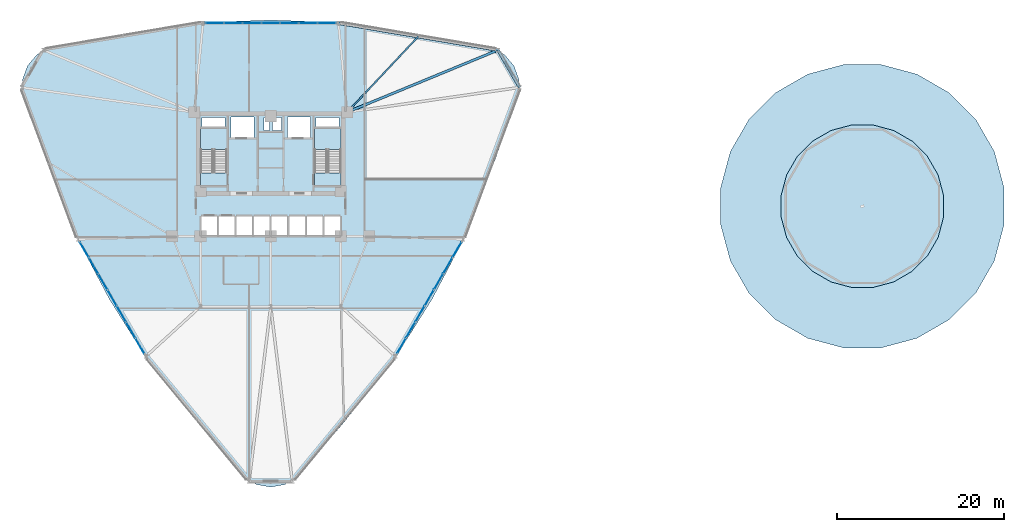
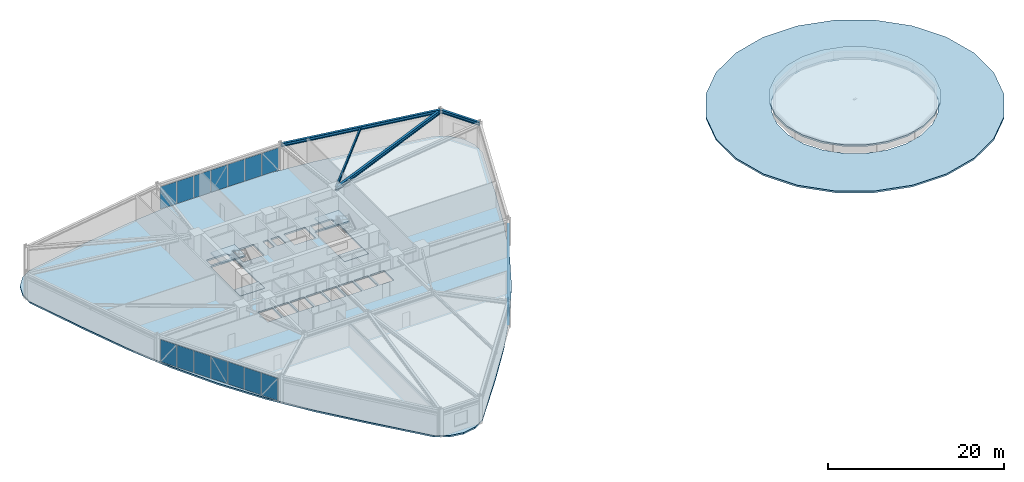
# One storey, part 14 of 23: 21 plates, 7 slabs, 4 beams, 5 elements without a shape of their own.
"""IFC4 building model written with IfcOpenShell, lengths in metres."""

from ifc_helpers import new_model, si_unit, derived_unit, direction, frame, origin, origin_2d, place, context, subcontext, project, spatial, polyline, rectangle, i_section, outline, extrude, source, transform, mapped, material, layer, layer_set, material_profile, profile_set, type_object, element, aggregate, save


model = new_model("IFC4")

# Units and contexts
model_context = context("Model", 3, precision=1e-05, world=origin(), true_north=direction((0.0, 1.0)))
body_context = subcontext(model_context, "Body", "Model", "MODEL_VIEW")
ifc_project = project(units=[si_unit("LENGTHUNIT", "METRE"), si_unit("AREAUNIT", "SQUARE_METRE"), si_unit("VOLUMEUNIT", "CUBIC_METRE"), si_unit("PLANEANGLEUNIT", "RADIAN"), si_unit("MASSUNIT", "GRAM", prefix="KILO"), derived_unit("THERMALTRANSMITTANCEUNIT", [(si_unit("POWERUNIT", "WATT"), 1), (si_unit("LENGTHUNIT", "METRE"), -2), (si_unit("THERMODYNAMICTEMPERATUREUNIT", "KELVIN"), -1)])], contexts=[model_context])

# Site, building, storey
site_placement = place(None, origin())
site = spatial("IfcSite", under=ifc_project, at=site_placement, CompositionType="ELEMENT")
building_placement = place(site_placement, origin())
building = spatial("IfcBuilding", under=site, at=building_placement, Name="Korsvarv Bourse and Concert Hall", CompositionType="ELEMENT")
storey_placement = place(building_placement, frame((0.0, 0.0, 24.0)))
storey = spatial("IfcBuildingStorey", under=building, at=storey_placement, Name="L05", CompositionType="ELEMENT", Elevation=24.0)

# Beams
ifc_material_1 = material(Name="Steel S355", Category="steel")
ifc_material_profile_1 = material_profile(ifc_material_1, i_section(OverallWidth=0.300048828125, OverallDepth=0.449951171875, WebThickness=0.013916015625, FlangeThickness=0.02587890625, FilletRadius=0.02099609375, at=origin_2d()), Name="HEB 450")
ifc_profile_set_1 = profile_set([ifc_material_profile_1], Name="Steel S355")
beam_type_1 = type_object("IfcBeamType", Name="BM-HEB450", PredefinedType="SPANDREL", material=ifc_profile_set_1)
shared_shape_1 = source(origin(), body_context, "Body", "SweptSolid", [
    extrude(i_section(OverallWidth=0.300048828125, OverallDepth=0.449951171875, WebThickness=0.013916015625, FlangeThickness=0.02587890625, FilletRadius=0.02099609375, at=origin_2d()), origin(), (0.0, 0.0, 1.0), 5.16357421875),
])
beam_1_placement = place(storey_placement, frame((65.78857421875, 50.21728515625, 3.455078125), z_axis=(-0.499988479627, 0.866032054973, 0.0), x_axis=(-0.866032054973, -0.499988479627, 0.0)))
element("IfcBeam", 1, at=beam_1_placement, inside=storey, type_object=beam_type_1, Name="L05 beam B-08", PredefinedType="SPANDREL", context=body_context, shape_type="MappedRepresentation", body=[
    mapped(shared_shape_1, transform((0.0, 0.0, 0.0), scale=1.0)),
])
shared_shape_2 = source(origin(), body_context, "Body", "SweptSolid", [
    extrude(i_section(OverallWidth=0.300048828125, OverallDepth=0.449951171875, WebThickness=0.013916015625, FlangeThickness=0.02587890625, FilletRadius=0.02099609375, at=origin_2d()), origin(), (0.0, 0.0, 1.0), 19.380126953125),
])
beam_2_placement = place(storey_placement, frame((63.206787109375, 54.689208984375, 3.455078125), z_axis=(-0.986032714871, 0.166551749327, 0.0), x_axis=(-0.166551749327, -0.986032714871, 0.0)))
element("IfcBeam", 2, at=beam_2_placement, inside=storey, type_object=beam_type_1, Name="L05 beam B-08", PredefinedType="SPANDREL", context=body_context, shape_type="MappedRepresentation", body=[
    mapped(shared_shape_2, transform((0.0, 0.0, 0.0), scale=1.0)),
])
ifc_material_profile_2 = material_profile(ifc_material_1, i_section(OverallWidth=0.300048828125, OverallDepth=0.5, WebThickness=0.014404296875, FlangeThickness=0.028076171875, FilletRadius=0.02392578125, at=origin_2d()), Name="HEB 500")
ifc_profile_set_2 = profile_set([ifc_material_profile_2], Name="Steel S355")
beam_type_2 = type_object("IfcBeamType", Name="BM-HEB500", PredefinedType="BEAM", material=ifc_profile_set_2)
shared_shape_3 = source(origin(), body_context, "Body", "SweptSolid", [
    extrude(i_section(OverallWidth=0.300048828125, OverallDepth=0.5, WebThickness=0.014404296875, FlangeThickness=0.028076171875, FilletRadius=0.02392578125, at=origin_2d()), origin(), (0.0, 0.0, 1.0), 19.529296875),
])
beam_3_placement = place(storey_placement, frame((63.206787109375, 54.689208984375, 3.429931640625), z_axis=(-0.924605589209, -0.380925851581, 0.0), x_axis=(0.380925851581, -0.924605589209, 0.0)))
element("IfcBeam", 3, at=beam_3_placement, inside=storey, type_object=beam_type_2, Name="L05 beam B-07", PredefinedType="BEAM", context=body_context, shape_type="MappedRepresentation", body=[
    mapped(shared_shape_3, transform((0.0, 0.0, 0.0), scale=1.0)),
])
ifc_material_profile_3 = material_profile(ifc_material_1, i_section(OverallWidth=0.179931640625, OverallDepth=0.39990234375, WebThickness=0.008544921875, FlangeThickness=0.013427734375, FilletRadius=0.02099609375, at=origin_2d()), Name="IPE 400")
ifc_profile_set_3 = profile_set([ifc_material_profile_3], Name="Steel S355")
beam_type_3 = type_object("IfcBeamType", Name="BM-IPE400", PredefinedType="JOIST", material=ifc_profile_set_3)
shared_shape_4 = source(origin(), body_context, "Body", "SweptSolid", [
    extrude(i_section(OverallWidth=0.179931640625, OverallDepth=0.39990234375, WebThickness=0.008544921875, FlangeThickness=0.013427734375, FilletRadius=0.02099609375, at=origin_2d()), origin(), (0.0, 0.0, 1.0), 12.41943359375),
])
beam_4_placement = place(storey_placement, frame((53.652099609375, 56.302978515625, 3.47998046875), z_axis=(-0.684584953519, -0.72893308432, 0.0), x_axis=(0.72893308432, -0.684584953519, 0.0)))
element("IfcBeam", 4, at=beam_4_placement, inside=storey, type_object=beam_type_3, Name="L05 beam J-05", PredefinedType="JOIST", context=body_context, shape_type="MappedRepresentation", body=[
    mapped(shared_shape_4, transform((0.0, 0.0, 0.0), scale=1.0)),
])

# Slabs
ifc_material_2 = material(Name="Precast concrete C45/55", Category="concrete")
ifc_layer_1 = layer(ifc_material_2, 0.199951171875)
ifc_layer_set_1 = layer_set([ifc_layer_1], Name="Precast concrete C45/55")
slab_type_1 = type_object("IfcSlabType", Name="SLB-FLND-T", PredefinedType="LANDING", material=ifc_layer_set_1)
slab_1_placement = place(storey_placement, frame((0.0, 0.0, -0.199951171875)))
element("IfcSlab", 5, at=slab_1_placement, inside=storey, type_object=slab_type_1, Name="L05 Stair ST-T1 Floor Landing Slab", PredefinedType="LANDING", context=body_context, shape_type="SweptSolid", body=[
    extrude(outline(polyline([(30.760009765625, 38.5), (30.760009765625, 40.0), (27.60009765625, 40.0), (27.60009765625, 38.5), (30.760009765625, 38.5)])), origin(), (0.0, 0.0, 1.0), 0.199951171875),
])
slab_2_placement = place(storey_placement, frame((0.0, 0.0, -0.199951171875)))
element("IfcSlab", 6, at=slab_2_placement, inside=storey, type_object=slab_type_1, Name="L05 Stair ST-T2 Floor Landing Slab", PredefinedType="LANDING", context=body_context, shape_type="SweptSolid", body=[
    extrude(outline(polyline([(44.39990234375, 38.5), (44.39990234375, 40.0), (41.239990234375, 40.0), (41.239990234375, 38.5), (44.39990234375, 38.5)])), origin(), (0.0, 0.0, 1.0), 0.199951171875),
])
ifc_material_3 = material(Name="Concrete C45/55", Category="concrete")
ifc_layer_2 = layer(ifc_material_3, 0.239990234375)
ifc_layer_set_2 = layer_set([ifc_layer_2], Name="Concrete C45/55")
slab_type_2 = type_object("IfcSlabType", Name="SLB-RF2", PredefinedType="ROOF", material=ifc_layer_set_2)
slab_3_placement = place(storey_placement, origin())
element("IfcSlab", 7, at=slab_3_placement, inside=storey, type_object=slab_type_2, Name="Concert Hall Peripheral Foyer Roof Slab", PredefinedType="ROOF", context=body_context, shape_type="SweptSolid", body=[
    extrude(outline(polyline([(123.751220703125, 38.231689453125), (122.59619140625, 42.54296875), (120.364501953125, 46.408447265625), (117.20849609375, 49.564453125), (113.343017578125, 51.796142578125), (109.03173828125, 52.951416015625), (104.568359375, 52.951416015625), (100.257080078125, 51.796142578125), (96.3916015625, 49.564453125), (93.235595703125, 46.408447265625), (91.00390625, 42.54296875), (89.8486328125, 38.231689453125), (89.8486328125, 33.768310546875), (91.00390625, 29.45703125), (93.235595703125, 25.591552734375), (96.3916015625, 22.435546875), (100.257080078125, 20.203857421875), (104.568359375, 19.048583984375), (109.03173828125, 19.048583984375), (113.343017578125, 20.203857421875), (117.20849609375, 22.435546875), (120.364501953125, 25.591552734375), (122.59619140625, 29.45703125), (123.751220703125, 33.768310546875), (123.751220703125, 38.231689453125)]), holes=[polyline([(116.272705078125, 37.2470703125), (115.627197265625, 39.656494140625), (114.380126953125, 41.81640625), (112.616455078125, 43.580078125), (110.456298828125, 44.8271484375), (108.047119140625, 45.472900390625), (105.552978515625, 45.472900390625), (103.1435546875, 44.8271484375), (100.983642578125, 43.580078125), (99.219970703125, 41.81640625), (97.972900390625, 39.656494140625), (97.3271484375, 37.2470703125), (97.3271484375, 34.7529296875), (97.972900390625, 32.343505859375), (99.219970703125, 30.18359375), (100.983642578125, 28.419921875), (103.1435546875, 27.1728515625), (105.552978515625, 26.527099609375), (108.047119140625, 26.527099609375), (110.456298828125, 27.1728515625), (112.616455078125, 28.419921875), (114.380126953125, 30.18359375), (115.627197265625, 32.343505859375), (116.272705078125, 34.7529296875), (116.272705078125, 37.2470703125)])]), origin(), (0.0, 0.0, 1.0), 0.239990234375),
])
slab_4_placement = place(storey_placement, frame((0.0, 0.0, 1.360107421875)))
element("IfcSlab", 8, at=slab_4_placement, inside=storey, type_object=slab_type_2, Name="Concert Hall Symphony Auditorium Acoustic Roof Slab", PredefinedType="ROOF", context=body_context, shape_type="SweptSolid", body=[
    extrude(outline(polyline([(116.522216796875, 37.27978515625), (115.859619140625, 39.752685546875), (114.57958984375, 41.969482421875), (112.76953125, 43.779541015625), (110.552490234375, 45.0595703125), (108.079833984375, 45.72216796875), (105.52001953125, 45.72216796875), (103.04736328125, 45.0595703125), (100.83056640625, 43.779541015625), (99.0205078125, 41.969482421875), (97.740478515625, 39.752685546875), (97.077880859375, 37.27978515625), (97.077880859375, 34.72021484375), (97.740478515625, 32.247314453125), (99.0205078125, 30.030517578125), (100.83056640625, 28.220458984375), (103.04736328125, 26.9404296875), (105.52001953125, 26.27783203125), (108.079833984375, 26.27783203125), (110.552490234375, 26.9404296875), (112.76953125, 28.220458984375), (114.57958984375, 30.030517578125), (115.859619140625, 32.247314453125), (116.522216796875, 34.72021484375), (116.522216796875, 37.27978515625)])), origin(), (0.0, 0.0, 1.0), 0.239990234375),
])

# Stair, slab
stair_type = type_object("IfcStairType", Name="STR-TYPE-03", PredefinedType="HALF_TURN_STAIR", material=ifc_material_2)
stair_1_placement = place(storey_placement, origin())
stair_1 = element("IfcStair", 9, at=stair_1_placement, inside=storey, type_object=stair_type, Name="L05 Tower West Exit Stair ST-T1", PredefinedType="HALF_TURN_STAIR")
ifc_layer_3 = layer(ifc_material_2, 0.199951171875)
ifc_layer_set_3 = layer_set([ifc_layer_3], Name="Precast concrete C45/55")
slab_type_3 = type_object("IfcSlabType", Name="SLB-ST-LND", PredefinedType="LANDING", material=ifc_layer_set_3)
slab_5_placement = place(storey_placement, frame((0.0, 0.0, 1.75)))
slab_5 = element("IfcSlab", 10, at=slab_5_placement, type_object=slab_type_3, Name="ST-T1 landing 1", PredefinedType="LANDING", context=body_context, shape_type="SweptSolid", body=[
    extrude(outline(polyline([(30.760009765625, 42.800048828125), (30.760009765625, 45.300048828125), (27.60009765625, 45.300048828125), (27.60009765625, 42.800048828125), (30.760009765625, 42.800048828125)])), origin(), (0.0, 0.0, 1.0), 0.199951171875),
])
aggregate(stair_1, [slab_5])

stair_2_placement = place(storey_placement, origin())
stair_2 = element("IfcStair", 11, at=stair_2_placement, inside=storey, type_object=stair_type, Name="L05 Tower East Exit Stair ST-T2", PredefinedType="HALF_TURN_STAIR")
slab_6_placement = place(storey_placement, frame((0.0, 0.0, 1.75)))
slab_6 = element("IfcSlab", 12, at=slab_6_placement, type_object=slab_type_3, Name="ST-T2 landing 1", PredefinedType="LANDING", context=body_context, shape_type="SweptSolid", body=[
    extrude(outline(polyline([(44.39990234375, 42.800048828125), (44.39990234375, 45.300048828125), (41.239990234375, 45.300048828125), (41.239990234375, 42.800048828125), (44.39990234375, 42.800048828125)])), origin(), (0.0, 0.0, 1.0), 0.199951171875),
])
aggregate(stair_2, [slab_6])

# Slab
ifc_layer_4 = layer(ifc_material_3, 0.219970703125)
ifc_layer_set_4 = layer_set([ifc_layer_4], Name="Concrete C45/55")
slab_type_4 = type_object("IfcSlabType", Name="SLB-TW1", PredefinedType="FLOOR", material=ifc_layer_set_4)
slab_7_placement = place(storey_placement, frame((0.0, 0.0, -0.219970703125)))
element("IfcSlab", 13, at=slab_7_placement, inside=storey, type_object=slab_type_4, Name="L05 tower structural floor slab", PredefinedType="FLOOR", context=body_context, shape_type="SweptSolid", body=[
    extrude(outline(polyline([(65.048583984375, 47.712158203125), (62.943359375, 41.774169921875), (60.6953125, 35.9443359375), (58.17626953125, 30.291748046875), (55.2998046875, 24.857421875), (52.031494140625, 19.648681640625), (48.395751953125, 14.64111328125), (44.47119140625, 9.779296875), (40.38134765625, 4.9873046875), (40.376708984375, 4.981689453125), (39.17431640625, 3.548828125), (37.689208984375, 2.69140625), (36.0, 2.3935546875), (34.310791015625, 2.69140625), (32.82568359375, 3.548828125), (31.623291015625, 4.981689453125), (31.61865234375, 4.9873046875), (27.52880859375, 9.779296875), (23.604248046875, 14.64111328125), (19.968505859375, 19.648681640625), (16.7001953125, 24.857421875), (13.82373046875, 30.291748046875), (11.3046875, 35.9443359375), (9.056640625, 41.774169921875), (6.951416015625, 47.712158203125), (6.948974609375, 47.718994140625), (6.309326171875, 49.4765625), (6.309326171875, 51.19140625), (6.89599609375, 52.80322265625), (7.998291015625, 54.1171875), (9.483642578125, 54.974609375), (11.32568359375, 55.29931640625), (11.3330078125, 55.30078125), (17.52783203125, 56.446533203125), (23.700439453125, 57.414306640625), (29.855224609375, 58.059326171875), (36.0, 58.285400390625), (42.144775390625, 58.059326171875), (48.299560546875, 57.414306640625), (54.47216796875, 56.446533203125), (60.6669921875, 55.30078125), (60.67431640625, 55.29931640625), (62.516357421875, 54.974609375), (64.001708984375, 54.1171875), (65.10400390625, 52.80322265625), (65.690673828125, 51.19140625), (65.690673828125, 49.4765625), (65.051025390625, 47.718994140625), (65.048583984375, 47.712158203125)]), holes=[polyline([(30.760009765625, 38.5), (30.760009765625, 45.300048828125), (27.60009765625, 45.300048828125), (27.60009765625, 38.5), (30.760009765625, 38.5)]), polyline([(44.39990234375, 38.5), (44.39990234375, 45.300048828125), (41.239990234375, 45.300048828125), (41.239990234375, 38.5), (44.39990234375, 38.5)]), polyline([(31.239990234375, 44.219970703125), (34.0, 44.219970703125), (34.0, 46.679931640625), (31.239990234375, 46.679931640625), (31.239990234375, 44.219970703125)]), polyline([(38.0, 44.219970703125), (40.760009765625, 44.219970703125), (40.760009765625, 46.679931640625), (38.0, 46.679931640625), (38.0, 44.219970703125)]), polyline([(27.719970703125, 32.52001953125), (29.580078125, 32.52001953125), (29.580078125, 34.780029296875), (27.719970703125, 34.780029296875), (27.719970703125, 32.52001953125)]), polyline([(29.820068359375, 32.52001953125), (31.679931640625, 32.52001953125), (31.679931640625, 34.780029296875), (29.820068359375, 34.780029296875), (29.820068359375, 32.52001953125)]), polyline([(31.919921875, 32.52001953125), (33.780029296875, 32.52001953125), (33.780029296875, 34.780029296875), (31.919921875, 34.780029296875), (31.919921875, 32.52001953125)]), polyline([(34.02001953125, 32.52001953125), (35.8798828125, 32.52001953125), (35.8798828125, 34.780029296875), (34.02001953125, 34.780029296875), (34.02001953125, 32.52001953125)]), polyline([(36.1201171875, 32.52001953125), (37.97998046875, 32.52001953125), (37.97998046875, 34.780029296875), (36.1201171875, 34.780029296875), (36.1201171875, 32.52001953125)]), polyline([(38.219970703125, 32.52001953125), (40.080078125, 32.52001953125), (40.080078125, 34.780029296875), (38.219970703125, 34.780029296875), (38.219970703125, 32.52001953125)]), polyline([(40.320068359375, 32.52001953125), (42.179931640625, 32.52001953125), (42.179931640625, 34.780029296875), (40.320068359375, 34.780029296875), (40.320068359375, 32.52001953125)]), polyline([(42.419921875, 32.52001953125), (44.280029296875, 32.52001953125), (44.280029296875, 34.780029296875), (42.419921875, 34.780029296875), (42.419921875, 32.52001953125)]), polyline([(27.800048828125, 45.56005859375), (30.56005859375, 45.56005859375), (30.56005859375, 46.6201171875), (27.800048828125, 46.6201171875), (27.800048828125, 45.56005859375)]), polyline([(41.43994140625, 45.56005859375), (44.199951171875, 45.56005859375), (44.199951171875, 46.6201171875), (41.43994140625, 46.6201171875), (41.43994140625, 45.56005859375)]), polyline([(35.199951171875, 45.080078125), (35.840087890625, 45.080078125), (35.840087890625, 46.6201171875), (35.199951171875, 46.6201171875), (35.199951171875, 45.080078125)]), polyline([(36.239990234375, 45.080078125), (37.320068359375, 45.080078125), (37.320068359375, 46.6201171875), (36.239990234375, 46.6201171875), (36.239990234375, 45.080078125)])]), origin(), (0.0, 0.0, 1.0), 0.219970703125),
])

# Curtain wall, plates
ifc_material_4 = material(Name="Anodised aluminium and triple low-E glazing", Category="glass")
ifc_layer_5 = layer(ifc_material_4, 0.219970703125)
ifc_layer_set_5 = layer_set([ifc_layer_5], Name="Anodised aluminium and triple low-E glazing")
curtain_wall_type = type_object("IfcCurtainWallType", Name="CW-SYS-1", PredefinedType="NOTDEFINED", material=ifc_layer_set_5)
curtain_wall_1_placement = place(storey_placement, origin())
curtain_wall_1 = element("IfcCurtainWall", 14, at=curtain_wall_1_placement, inside=storey, type_object=curtain_wall_type, Name="L05 CW1 curtain wall CW-L05-F03", PredefinedType="NOTDEFINED")
ifc_material_5 = material(Name="Insulated spandrel glass", Category="glass")
ifc_layer_6 = layer(ifc_material_5, 0.031982421875)
ifc_layer_set_6 = layer_set([ifc_layer_6], Name="Insulated spandrel glass")
plate_type_1 = type_object("IfcPlateType", Name="CWP-SPD1", PredefinedType="CURTAIN_PANEL", material=ifc_layer_set_6)
shared_shape_5 = source(origin(), body_context, "Body", "SweptSolid", [
    extrude(rectangle(XDim=2.1337890625, YDim=0.031982421875, at=origin_2d()), origin(), (0.0, 0.0, 1.0), 3.10009765625),
])
plate_1_placement = place(storey_placement, frame((42.69873046875, 57.9169921875, 0.06494140625), z_axis=(0.0, 0.0, 1.0), x_axis=(-1.0, 0.0, 0.0)))
plate_1 = element("IfcPlate", 15, at=plate_1_placement, type_object=plate_type_1, Name="CW1 spandrel shadow-box panel 1.1", PredefinedType="CURTAIN_PANEL", context=body_context, shape_type="MappedRepresentation", body=[
    mapped(shared_shape_5, transform((0.0, 0.0, 0.0), scale=1.0)),
])
plate_2_placement = place(storey_placement, frame((29.30126953125, 57.9169921875, 0.06494140625), z_axis=(0.0, 0.0, 1.0), x_axis=(-1.0, 0.0, 0.0)))
plate_2 = element("IfcPlate", 16, at=plate_2_placement, type_object=plate_type_1, Name="CW1 spandrel shadow-box panel 7.1", PredefinedType="CURTAIN_PANEL", context=body_context, shape_type="MappedRepresentation", body=[
    mapped(shared_shape_5, transform((0.0, 0.0, 0.0), scale=1.0)),
])
ifc_material_6 = material(Name="Tempered triple insulated low-E architectural glass", Category="glass")
ifc_layer_7 = layer(ifc_material_6, 0.035888671875)
ifc_layer_set_7 = layer_set([ifc_layer_7], Name="Tempered triple insulated low-E architectural glass")
plate_type_2 = type_object("IfcPlateType", Name="CWP-VIS1", PredefinedType="CURTAIN_PANEL", material=ifc_layer_set_7)
shared_shape_6 = source(origin(), body_context, "Body", "SweptSolid", [
    extrude(rectangle(XDim=2.168701171875, YDim=0.035888671875, at=origin_2d()), origin(), (0.0, 0.0, 1.0), 3.10009765625),
])
plate_3_placement = place(storey_placement, frame((40.4775390625, 57.9169921875, 0.06494140625), z_axis=(0.0, 0.0, 1.0), x_axis=(-1.0, 0.0, 0.0)))
plate_3 = element("IfcPlate", 17, at=plate_3_placement, type_object=plate_type_2, Name="CW1 faceted panel 2.1", PredefinedType="CURTAIN_PANEL", context=body_context, shape_type="MappedRepresentation", body=[
    mapped(shared_shape_6, transform((0.0, 0.0, 0.0), scale=1.0)),
])
plate_4_placement = place(storey_placement, frame((38.23876953125, 57.9169921875, 0.06494140625), z_axis=(0.0, 0.0, 1.0), x_axis=(-1.0, 0.0, 0.0)))
plate_4 = element("IfcPlate", 18, at=plate_4_placement, type_object=plate_type_2, Name="CW1 faceted panel 3.1", PredefinedType="CURTAIN_PANEL", context=body_context, shape_type="MappedRepresentation", body=[
    mapped(shared_shape_6, transform((0.0, 0.0, 0.0), scale=1.0)),
])
plate_5_placement = place(storey_placement, frame((33.76123046875, 57.9169921875, 0.06494140625), z_axis=(0.0, 0.0, 1.0), x_axis=(-1.0, 0.0, 0.0)))
plate_5 = element("IfcPlate", 19, at=plate_5_placement, type_object=plate_type_2, Name="CW1 faceted panel 5.1", PredefinedType="CURTAIN_PANEL", context=body_context, shape_type="MappedRepresentation", body=[
    mapped(shared_shape_6, transform((0.0, 0.0, 0.0), scale=1.0)),
])
plate_6_placement = place(storey_placement, frame((31.5224609375, 57.9169921875, 0.06494140625), z_axis=(0.0, 0.0, 1.0), x_axis=(-1.0, 0.0, 0.0)))
plate_6 = element("IfcPlate", 20, at=plate_6_placement, type_object=plate_type_2, Name="CW1 faceted panel 6.1", PredefinedType="CURTAIN_PANEL", context=body_context, shape_type="MappedRepresentation", body=[
    mapped(shared_shape_6, transform((0.0, 0.0, 0.0), scale=1.0)),
])
shared_shape_7 = source(origin(), body_context, "Body", "SweptSolid", [
    extrude(rectangle(XDim=2.168701171875, YDim=0.031982421875, at=origin_2d()), origin(), (0.0, 0.0, 1.0), 3.10009765625),
])
plate_7_placement = place(storey_placement, frame((36.0, 57.9169921875, 0.06494140625), z_axis=(0.0, 0.0, 1.0), x_axis=(-1.0, 0.0, 0.0)))
plate_7 = element("IfcPlate", 21, at=plate_7_placement, type_object=plate_type_1, Name="CW1 spandrel shadow-box panel 4.1", PredefinedType="CURTAIN_PANEL", context=body_context, shape_type="MappedRepresentation", body=[
    mapped(shared_shape_7, transform((0.0, 0.0, 0.0), scale=1.0)),
])
aggregate(curtain_wall_1, [plate_1, plate_3, plate_4, plate_7, plate_5, plate_6, plate_2])

curtain_wall_2_placement = place(storey_placement, origin())
curtain_wall_2 = element("IfcCurtainWall", 22, at=curtain_wall_2_placement, inside=storey, type_object=curtain_wall_type, Name="L05 CW1 curtain wall CW-L05-F07", PredefinedType="NOTDEFINED")
shared_shape_8 = source(origin(), body_context, "Body", "SweptSolid", [
    extrude(rectangle(XDim=2.11376953125, YDim=0.031982421875, at=origin_2d()), origin(), (0.0, 0.0, 1.0), 3.10009765625),
])
plate_8_placement = place(storey_placement, frame((13.69970703125, 30.791015625, 0.06494140625), z_axis=(0.0, 0.0, 1.0), x_axis=(0.499994607504, -0.866028517121, 0.0)))
plate_8 = element("IfcPlate", 23, at=plate_8_placement, type_object=plate_type_1, Name="CW1 spandrel shadow-box panel 1.1", PredefinedType="CURTAIN_PANEL", context=body_context, shape_type="MappedRepresentation", body=[
    mapped(shared_shape_8, transform((0.0, 0.0, 0.0), scale=1.0)),
])
plate_9_placement = place(storey_placement, frame((20.338623046875, 19.291748046875, 0.06494140625), z_axis=(0.0, 0.0, 1.0), x_axis=(0.499994607504, -0.866028517121, 0.0)))
plate_9 = element("IfcPlate", 24, at=plate_9_placement, type_object=plate_type_1, Name="CW1 spandrel shadow-box panel 7.1", PredefinedType="CURTAIN_PANEL", context=body_context, shape_type="MappedRepresentation", body=[
    mapped(shared_shape_8, transform((0.0, 0.0, 0.0), scale=1.0)),
])

curtain_wall_3_placement = place(storey_placement, origin())
curtain_wall_3 = element("IfcCurtainWall", 25, at=curtain_wall_3_placement, inside=storey, type_object=curtain_wall_type, Name="L05 CW1 curtain wall CW-L05-F11", PredefinedType="NOTDEFINED")
plate_10_placement = place(storey_placement, frame((51.661376953125, 19.291748046875, 0.06494140625), z_axis=(0.0, 0.0, 1.0), x_axis=(0.499994607504, 0.866028517121, 0.0)))
plate_10 = element("IfcPlate", 26, at=plate_10_placement, type_object=plate_type_1, Name="CW1 spandrel shadow-box panel 1.1", PredefinedType="CURTAIN_PANEL", context=body_context, shape_type="MappedRepresentation", body=[
    mapped(shared_shape_8, transform((0.0, 0.0, 0.0), scale=1.0)),
])
plate_11_placement = place(storey_placement, frame((58.30029296875, 30.791015625, 0.06494140625), z_axis=(0.0, 0.0, 1.0), x_axis=(0.499994607504, 0.866028517121, 0.0)))
plate_11 = element("IfcPlate", 27, at=plate_11_placement, type_object=plate_type_1, Name="CW1 spandrel shadow-box panel 7.1", PredefinedType="CURTAIN_PANEL", context=body_context, shape_type="MappedRepresentation", body=[
    mapped(shared_shape_8, transform((0.0, 0.0, 0.0), scale=1.0)),
])

# Plate
shared_shape_9 = source(origin(), body_context, "Body", "SweptSolid", [
    extrude(rectangle(XDim=2.14892578125, YDim=0.035888671875, at=origin_2d()), origin(), (0.0, 0.0, 1.0), 3.10009765625),
])
plate_12_placement = place(storey_placement, frame((14.80029296875, 28.884765625, 0.06494140625), z_axis=(0.0, 0.0, 1.0), x_axis=(0.499994607504, -0.866028517121, 0.0)))
plate_12 = element("IfcPlate", 28, at=plate_12_placement, type_object=plate_type_2, Name="CW1 faceted panel 2.1", PredefinedType="CURTAIN_PANEL", context=body_context, shape_type="MappedRepresentation", body=[
    mapped(shared_shape_9, transform((0.0, 0.0, 0.0), scale=1.0)),
])

plate_13_placement = place(storey_placement, frame((15.90966796875, 26.963134765625, 0.06494140625), z_axis=(0.0, 0.0, 1.0), x_axis=(0.499994607504, -0.866028517121, 0.0)))
plate_13 = element("IfcPlate", 29, at=plate_13_placement, type_object=plate_type_2, Name="CW1 faceted panel 3.1", PredefinedType="CURTAIN_PANEL", context=body_context, shape_type="MappedRepresentation", body=[
    mapped(shared_shape_9, transform((0.0, 0.0, 0.0), scale=1.0)),
])

plate_14_placement = place(storey_placement, frame((18.128662109375, 23.119873046875, 0.06494140625), z_axis=(0.0, 0.0, 1.0), x_axis=(0.499994607504, -0.866028517121, 0.0)))
plate_14 = element("IfcPlate", 30, at=plate_14_placement, type_object=plate_type_2, Name="CW1 faceted panel 5.1", PredefinedType="CURTAIN_PANEL", context=body_context, shape_type="MappedRepresentation", body=[
    mapped(shared_shape_9, transform((0.0, 0.0, 0.0), scale=1.0)),
])

plate_15_placement = place(storey_placement, frame((19.238037109375, 21.1982421875, 0.06494140625), z_axis=(0.0, 0.0, 1.0), x_axis=(0.499994607504, -0.866028517121, 0.0)))
plate_15 = element("IfcPlate", 31, at=plate_15_placement, type_object=plate_type_2, Name="CW1 faceted panel 6.1", PredefinedType="CURTAIN_PANEL", context=body_context, shape_type="MappedRepresentation", body=[
    mapped(shared_shape_9, transform((0.0, 0.0, 0.0), scale=1.0)),
])

plate_16_placement = place(storey_placement, frame((52.761962890625, 21.1982421875, 0.06494140625), z_axis=(0.0, 0.0, 1.0), x_axis=(0.499994607504, 0.866028517121, 0.0)))
plate_16 = element("IfcPlate", 32, at=plate_16_placement, type_object=plate_type_2, Name="CW1 faceted panel 2.1", PredefinedType="CURTAIN_PANEL", context=body_context, shape_type="MappedRepresentation", body=[
    mapped(shared_shape_9, transform((0.0, 0.0, 0.0), scale=1.0)),
])

plate_17_placement = place(storey_placement, frame((53.871337890625, 23.119873046875, 0.06494140625), z_axis=(0.0, 0.0, 1.0), x_axis=(0.499994607504, 0.866028517121, 0.0)))
plate_17 = element("IfcPlate", 33, at=plate_17_placement, type_object=plate_type_2, Name="CW1 faceted panel 3.1", PredefinedType="CURTAIN_PANEL", context=body_context, shape_type="MappedRepresentation", body=[
    mapped(shared_shape_9, transform((0.0, 0.0, 0.0), scale=1.0)),
])

plate_18_placement = place(storey_placement, frame((56.09033203125, 26.963134765625, 0.06494140625), z_axis=(0.0, 0.0, 1.0), x_axis=(0.499994607504, 0.866028517121, 0.0)))
plate_18 = element("IfcPlate", 34, at=plate_18_placement, type_object=plate_type_2, Name="CW1 faceted panel 5.1", PredefinedType="CURTAIN_PANEL", context=body_context, shape_type="MappedRepresentation", body=[
    mapped(shared_shape_9, transform((0.0, 0.0, 0.0), scale=1.0)),
])

plate_19_placement = place(storey_placement, frame((57.19970703125, 28.884765625, 0.06494140625), z_axis=(0.0, 0.0, 1.0), x_axis=(0.499994607504, 0.866028517121, 0.0)))
plate_19 = element("IfcPlate", 35, at=plate_19_placement, type_object=plate_type_2, Name="CW1 faceted panel 6.1", PredefinedType="CURTAIN_PANEL", context=body_context, shape_type="MappedRepresentation", body=[
    mapped(shared_shape_9, transform((0.0, 0.0, 0.0), scale=1.0)),
])

shared_shape_10 = source(origin(), body_context, "Body", "SweptSolid", [
    extrude(rectangle(XDim=2.14892578125, YDim=0.031982421875, at=origin_2d()), origin(), (0.0, 0.0, 1.0), 3.10009765625),
])
plate_20_placement = place(storey_placement, frame((17.019287109375, 25.04150390625, 0.06494140625), z_axis=(0.0, 0.0, 1.0), x_axis=(0.499994607504, -0.866028517121, 0.0)))
plate_20 = element("IfcPlate", 36, at=plate_20_placement, type_object=plate_type_1, Name="CW1 spandrel shadow-box panel 4.1", PredefinedType="CURTAIN_PANEL", context=body_context, shape_type="MappedRepresentation", body=[
    mapped(shared_shape_10, transform((0.0, 0.0, 0.0), scale=1.0)),
])

aggregate(curtain_wall_2, [plate_8, plate_12, plate_13, plate_20, plate_14, plate_15, plate_9])

plate_21_placement = place(storey_placement, frame((54.980712890625, 25.04150390625, 0.06494140625), z_axis=(0.0, 0.0, 1.0), x_axis=(0.499994607504, 0.866028517121, 0.0)))
plate_21 = element("IfcPlate", 37, at=plate_21_placement, type_object=plate_type_1, Name="CW1 spandrel shadow-box panel 4.1", PredefinedType="CURTAIN_PANEL", context=body_context, shape_type="MappedRepresentation", body=[
    mapped(shared_shape_10, transform((0.0, 0.0, 0.0), scale=1.0)),
])

aggregate(curtain_wall_3, [plate_10, plate_16, plate_17, plate_21, plate_18, plate_19, plate_11])

save(model, "model.ifc")
